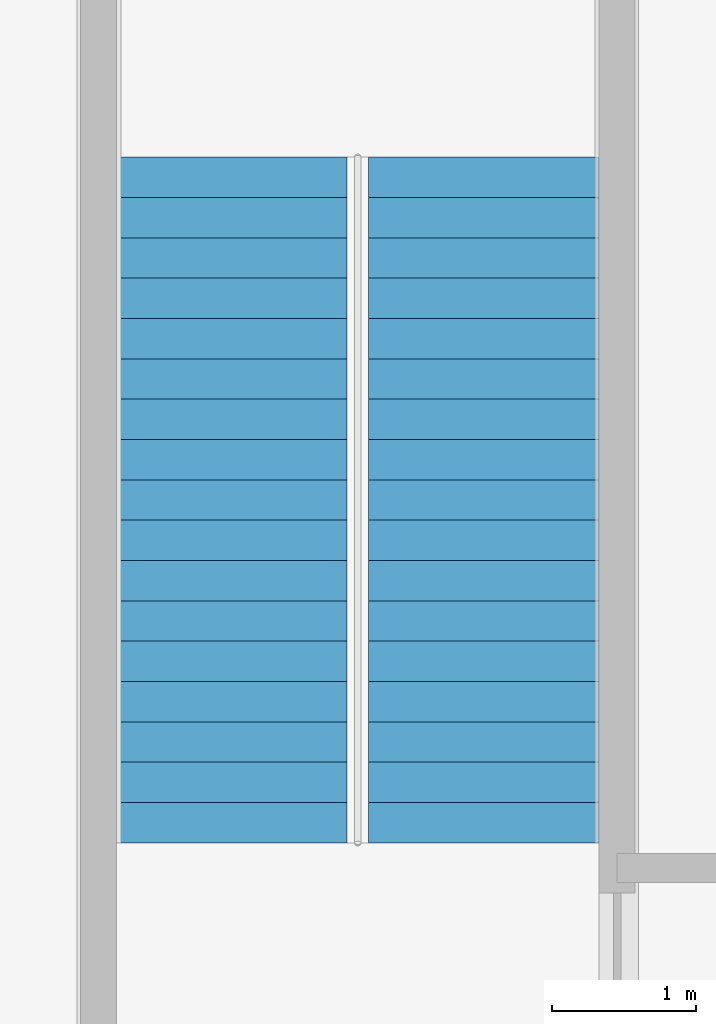
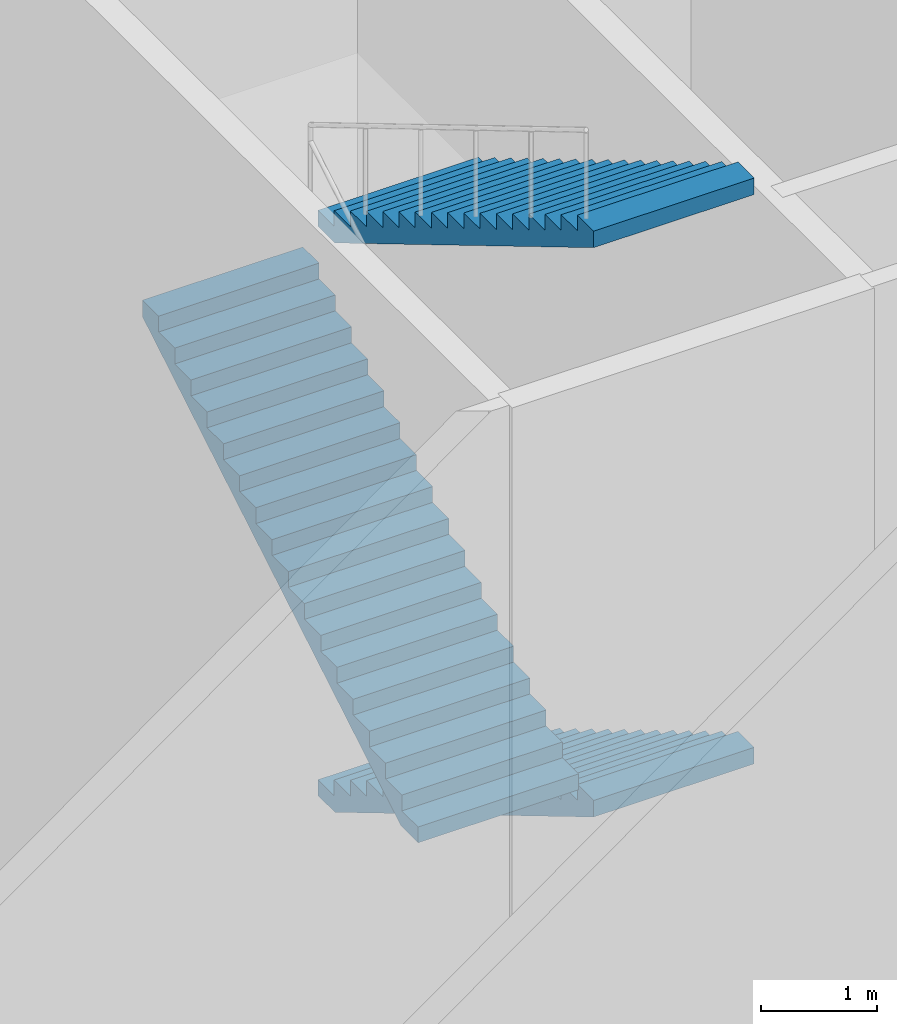
# One storey, part 20 of 23: 3 stair flights, 1 element without a shape of its own.
"""IFC4 building model written with IfcOpenShell, lengths in metres."""

from ifc_helpers import new_model, si_unit, direction, frame, origin, place, context, subcontext, project, spatial, polyline, outline, extrude, material, type_object, element, aggregate, save


model = new_model("IFC4")

# Units and contexts
model_context = context("Model", 3, precision=1e-05, world=origin(), true_north=direction((0.0, 1.0)))
body_context = subcontext(model_context, "Body", "Model", "MODEL_VIEW")
ifc_project = project(units=[si_unit("LENGTHUNIT", "METRE"), si_unit("AREAUNIT", "SQUARE_METRE"), si_unit("VOLUMEUNIT", "CUBIC_METRE"), si_unit("PLANEANGLEUNIT", "RADIAN"), si_unit("MASSUNIT", "GRAM", prefix="KILO")], contexts=[model_context])

# Site, building, storey
site_placement = place(None, origin())
site = spatial("IfcSite", under=ifc_project, at=site_placement, CompositionType="ELEMENT")
building_placement = place(site_placement, origin())
building = spatial("IfcBuilding", under=site, at=building_placement, Name="Marenthal Gate Tower", CompositionType="ELEMENT")
storey_placement = place(building_placement, origin())
storey = spatial("IfcBuildingStorey", under=building, at=storey_placement, Name="L00", CompositionType="ELEMENT", Elevation=0.0)

# Stair, stair flights
ifc_material_1 = material(Name="Concrete 40 MPa", Category="concrete")
stair_type = type_object("IfcStairType", Name="Exit stair 1600", PredefinedType="HALF_TURN_STAIR", material=ifc_material_1)
stair_placement = place(storey_placement, origin())
stair = element("IfcStair", 1, at=stair_placement, inside=storey, type_object=stair_type, Name="Stair E3", PredefinedType="HALF_TURN_STAIR")
ifc_material_2 = material(Name="Concrete 40 MPa", Category="concrete")
stair_flight_type = type_object("IfcStairFlightType", Name="Stair flight 1600", PredefinedType="STRAIGHT", material=ifc_material_2)
stair_flight_1_placement = place(storey_placement, frame((50.175048828125, 19.284912109375, 3.0), z_axis=(0.0, 0.0, 1.0), x_axis=(0.0, -1.0, 0.0)))
stair_flight_1 = element("IfcStairFlight", 2, at=stair_flight_1_placement, type_object=stair_flight_type, Name="E3 flight 2", NumberOfRisers=18, NumberOfTreads=17, PredefinedType="STRAIGHT", RiserHeight=0.166666667, TreadLength=0.28, context=body_context, shape_type="SweptSolid", body=[
    extrude(outline(polyline([(0.0, 0.0), (0.0, 0.166748046875), (0.280029296875, 0.166748046875), (0.280029296875, 0.333251953125), (0.56005859375, 0.333251953125), (0.56005859375, 0.5), (0.840087890625, 0.5), (0.840087890625, 0.666748046875), (1.1201171875, 0.666748046875), (1.1201171875, 0.833251953125), (1.39990234375, 0.833251953125), (1.39990234375, 1.0), (1.679931640625, 1.0), (1.679931640625, 1.166748046875), (1.9599609375, 1.166748046875), (1.9599609375, 1.333251953125), (2.239990234375, 1.333251953125), (2.239990234375, 1.5), (2.52001953125, 1.5), (2.52001953125, 1.666748046875), (2.800048828125, 1.666748046875), (2.800048828125, 1.833251953125), (3.080078125, 1.833251953125), (3.080078125, 2.0), (3.360107421875, 2.0), (3.360107421875, 2.166748046875), (3.639892578125, 2.166748046875), (3.639892578125, 2.333251953125), (3.919921875, 2.333251953125), (3.919921875, 2.5), (4.199951171875, 2.5), (4.199951171875, 2.666748046875), (4.47998046875, 2.666748046875), (4.47998046875, 2.833251953125), (4.760009765625, 2.833251953125), (4.760009765625, 3.0), (4.760009765625, 2.658935546875), (0.29296875, 0.0), (0.0, 0.0)])), frame((0.0, 0.800048828125, 0.0), z_axis=(0.0, -1.0, 0.0), x_axis=(1.0, 0.0, 0.0)), (0.0, 0.0, 1.0), 1.60009765625),
])
stair_flight_2_placement = place(storey_placement, frame((48.425048828125, 14.52490234375, 6.0), z_axis=(0.0, 0.0, 1.0), x_axis=(0.0, 1.0, 0.0)))
stair_flight_2 = element("IfcStairFlight", 3, at=stair_flight_2_placement, type_object=stair_flight_type, Name="E3 flight 3", NumberOfRisers=18, NumberOfTreads=17, PredefinedType="STRAIGHT", RiserHeight=0.166666667, TreadLength=0.28, context=body_context, shape_type="SweptSolid", body=[
    extrude(outline(polyline([(0.0, 0.0), (0.0, 0.166748046875), (0.280029296875, 0.166748046875), (0.280029296875, 0.333251953125), (0.56005859375, 0.333251953125), (0.56005859375, 0.5), (0.840087890625, 0.5), (0.840087890625, 0.666748046875), (1.1201171875, 0.666748046875), (1.1201171875, 0.833251953125), (1.39990234375, 0.833251953125), (1.39990234375, 1.0), (1.679931640625, 1.0), (1.679931640625, 1.166748046875), (1.9599609375, 1.166748046875), (1.9599609375, 1.333251953125), (2.239990234375, 1.333251953125), (2.239990234375, 1.5), (2.52001953125, 1.5), (2.52001953125, 1.666748046875), (2.800048828125, 1.666748046875), (2.800048828125, 1.833251953125), (3.080078125, 1.833251953125), (3.080078125, 2.0), (3.360107421875, 2.0), (3.360107421875, 2.166748046875), (3.639892578125, 2.166748046875), (3.639892578125, 2.333251953125), (3.919921875, 2.333251953125), (3.919921875, 2.5), (4.199951171875, 2.5), (4.199951171875, 2.666748046875), (4.47998046875, 2.666748046875), (4.47998046875, 2.833251953125), (4.760009765625, 2.833251953125), (4.760009765625, 3.0), (4.760009765625, 2.658935546875), (0.29296875, 0.0), (0.0, 0.0)])), frame((0.0, 0.800048828125, 0.0), z_axis=(0.0, -1.0, 0.0), x_axis=(1.0, 0.0, 0.0)), (0.0, 0.0, 1.0), 1.60009765625),
])
stair_flight_3_placement = place(storey_placement, frame((50.175048828125, 19.284912109375, 9.0), z_axis=(0.0, 0.0, 1.0), x_axis=(0.0, -1.0, 0.0)))
stair_flight_3 = element("IfcStairFlight", 4, at=stair_flight_3_placement, type_object=stair_flight_type, Name="E3 flight 4", NumberOfRisers=18, NumberOfTreads=17, PredefinedType="STRAIGHT", RiserHeight=0.166666667, TreadLength=0.28, context=body_context, shape_type="SweptSolid", body=[
    extrude(outline(polyline([(0.0, 0.0), (0.0, 0.166748046875), (0.280029296875, 0.166748046875), (0.280029296875, 0.333251953125), (0.56005859375, 0.333251953125), (0.56005859375, 0.5), (0.840087890625, 0.5), (0.840087890625, 0.666748046875), (1.1201171875, 0.666748046875), (1.1201171875, 0.833251953125), (1.39990234375, 0.833251953125), (1.39990234375, 1.0), (1.679931640625, 1.0), (1.679931640625, 1.166748046875), (1.9599609375, 1.166748046875), (1.9599609375, 1.333251953125), (2.239990234375, 1.333251953125), (2.239990234375, 1.5), (2.52001953125, 1.5), (2.52001953125, 1.666748046875), (2.800048828125, 1.666748046875), (2.800048828125, 1.833251953125), (3.080078125, 1.833251953125), (3.080078125, 2.0), (3.360107421875, 2.0), (3.360107421875, 2.166748046875), (3.639892578125, 2.166748046875), (3.639892578125, 2.333251953125), (3.919921875, 2.333251953125), (3.919921875, 2.5), (4.199951171875, 2.5), (4.199951171875, 2.666748046875), (4.47998046875, 2.666748046875), (4.47998046875, 2.833251953125), (4.760009765625, 2.833251953125), (4.760009765625, 3.0), (4.760009765625, 2.658935546875), (0.29296875, 0.0), (0.0, 0.0)])), frame((0.0, 0.800048828125, 0.0), z_axis=(0.0, -1.0, 0.0), x_axis=(1.0, 0.0, 0.0)), (0.0, 0.0, 1.0), 1.60009765625),
])
aggregate(stair, [stair_flight_1, stair_flight_2, stair_flight_3])

save(model, "model.ifc")
